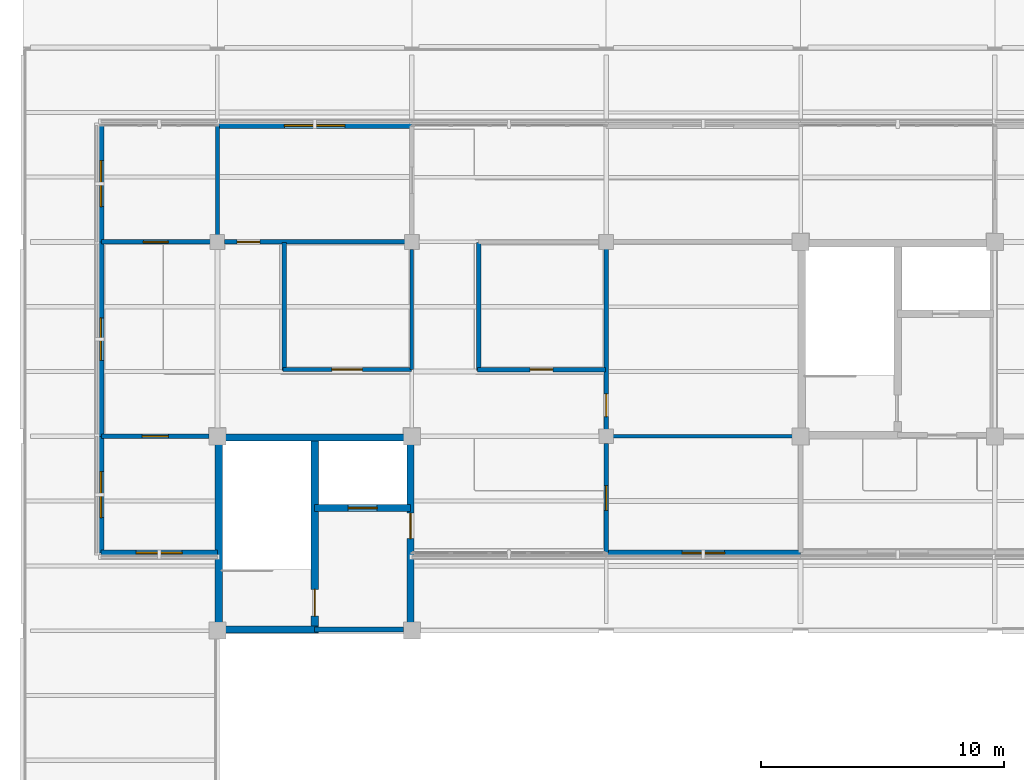
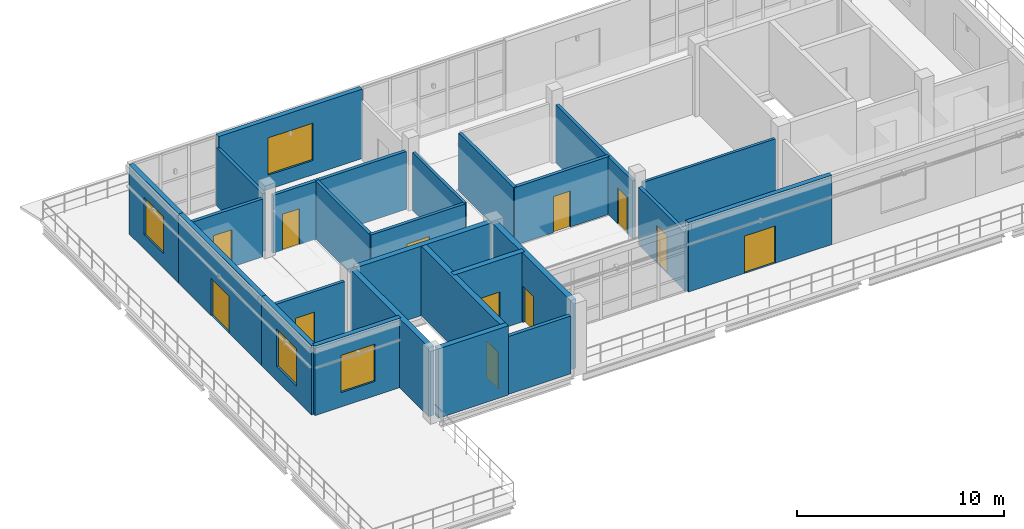
# One storey, part 15 of 24: 25 walls, 12 doors, 4 windows, 16 openings.
"""IFC4 building model written with IfcOpenShell, lengths in metres."""

from ifc_helpers import new_model, si_unit, derived_unit, direction, frame, frame_2d, origin, place, context, subcontext, project, spatial, rectangle, extrude, material, layer, layer_set, type_object, element, fill, save


model = new_model("IFC4")

# Units and contexts
model_context = context("Model", 3, precision=1e-05, world=origin(), true_north=direction((0.0, 1.0)))
body_context = subcontext(model_context, "Body", "Model", "MODEL_VIEW")
ifc_project = project(units=[si_unit("LENGTHUNIT", "METRE"), si_unit("AREAUNIT", "SQUARE_METRE"), si_unit("VOLUMEUNIT", "CUBIC_METRE"), si_unit("PLANEANGLEUNIT", "RADIAN"), si_unit("MASSUNIT", "GRAM", prefix="KILO"), derived_unit("THERMALTRANSMITTANCEUNIT", [(si_unit("MASSUNIT", "GRAM", prefix="KILO"), 1), (si_unit("TIMEUNIT", "SECOND"), -3), (si_unit("THERMODYNAMICTEMPERATUREUNIT", "KELVIN"), -1)])], contexts=[model_context])

# Site, building, storey
site_placement = place(None, origin())
site = spatial("IfcSite", under=ifc_project, at=site_placement, CompositionType="ELEMENT")
building_placement = place(site_placement, origin())
building = spatial("IfcBuilding", under=site, at=building_placement, Name="Veyamyaing Civic Hall", CompositionType="ELEMENT")
storey_placement = place(building_placement, frame((0.0, 0.0, 25.739990234375)))
storey = spatial("IfcBuildingStorey", under=building, at=storey_placement, Name="L06", CompositionType="ELEMENT", Elevation=25.739990234375)

# Walls
ifc_material_1 = material(Name="Concrete C40/50", Category="concrete")
ifc_layer_1 = layer(ifc_material_1, 0.300048828125, Name="Concrete C40/50")
ifc_layer_set_1 = layer_set([ifc_layer_1], Name="Concrete C40/50")
wall_type_1 = type_object("IfcWallType", Name="WT-05", PredefinedType="SHEAR", material=ifc_layer_set_1)
for number, where, z_axis, x_axis, name in (
    (1, (8.050048828125, 88.239990234375, 0.0), (0.0, 0.0, 1.0), (0.0, 1.0, 0.0), "Core shear wall WT-05 CORE-1 L06.W"),
    (2, (8.239990234375, 95.949951171875, 0.0), (0.0, 0.0, 1.0), (1.0, 0.0, 0.0), "Core shear wall WT-05 CORE-1 L06.N"),
):
    element("IfcWall", number, at=place(storey_placement, frame(where, z_axis=z_axis, x_axis=x_axis)), inside=storey, type_object=wall_type_1, Name=name, PredefinedType="SHEAR", context=body_context, shape_type="SweptSolid", body=[
        extrude(rectangle(XDim=7.52001953125, YDim=0.300048828125, at=frame_2d((3.760009765625, 0.0))), origin(), (0.0, 0.0, 1.0), 4.090087890625),
    ])

# Wall, opening, door
wall_1_placement = place(storey_placement, frame((15.949951171875, 88.239990234375, 0.0), z_axis=(0.0, 0.0, 1.0), x_axis=(0.0, 1.0, 0.0)))
wall_1 = element("IfcWall", 3, at=wall_1_placement, inside=storey, type_object=wall_type_1, Name="Core shear wall WT-05 CORE-1 L06.E", PredefinedType="SHEAR", context=body_context, shape_type="SweptSolid", body=[
    extrude(rectangle(XDim=7.52001953125, YDim=0.300048828125, at=frame_2d((3.760009765625, 0.0))), origin(), (0.0, 0.0, 1.0), 4.090087890625),
])
opening_1_placement = place(wall_1_placement, frame((3.550048828125, 0.0, 0.0)))
opening_1 = element("IfcOpeningElement", 4, at=opening_1_placement, cuts=wall_1, Name="Opening D-12", PredefinedType="OPENING", context=body_context, shape_type="SweptSolid", body=[
    extrude(rectangle(XDim=1.050048828125, YDim=2.14990234375, at=frame_2d((0.52490234375, 1.074951171875))), frame((0.0, 0.159912109375, 0.0), z_axis=(0.0, -1.0, 0.0), x_axis=(1.0, 0.0, 0.0)), (0.0, 0.0, 1.0), 0.320068359375),
])
ifc_material_2 = material(Name="Teak-veneered acoustic timber", Category="wood")
door_type_1 = type_object("IfcDoorType", Name="D-12", OperationType="NOTDEFINED", PredefinedType="DOOR", material=ifc_material_2)
door_1_placement = place(opening_1_placement, frame((1.050048828125, 0.0, 0.0), z_axis=(0.0, 0.0, 1.0), x_axis=(-1.0, 0.0, 0.0)))
door_1 = element("IfcDoor", 5, at=door_1_placement, inside=storey, type_object=door_type_1, Name="Protected lobby fire door D-12 CORE-1 L06", OperationType="SINGLE_SWING_LEFT", OverallHeight=2.14990234375, OverallWidth=1.050048828125, PredefinedType="DOOR", context=body_context, shape_type="SweptSolid", body=[
    extrude(rectangle(XDim=1.050048828125, YDim=2.14990234375, at=frame_2d((0.52490234375, 1.074951171875))), frame((0.0, 0.02490234375, 0.0), z_axis=(0.0, -1.0, 0.0), x_axis=(1.0, 0.0, 0.0)), (0.0, 0.0, 1.0), 0.050048828125),
])
fill(opening_1, door_1)

# Wall
wall_2_placement = place(storey_placement, frame((8.239990234375, 88.050048828125, 0.0), z_axis=(0.0, 0.0, 1.0), x_axis=(1.0, 0.0, 0.0)))
element("IfcWall", 6, at=wall_2_placement, inside=storey, type_object=wall_type_1, Name="Core shear wall WT-05 CORE-1 L06.SS", PredefinedType="SHEAR", context=body_context, shape_type="SweptSolid", body=[
    extrude(rectangle(XDim=3.909912109375, YDim=0.300048828125, at=frame_2d((1.955078125, 0.0))), origin(), (0.0, 0.0, 1.0), 4.090087890625),
])

# Wall, opening, door
wall_3_placement = place(storey_placement, frame((12.0, 88.050048828125, 0.0), z_axis=(0.0, 0.0, 1.0), x_axis=(0.0, 1.0, 0.0)))
wall_3 = element("IfcWall", 7, at=wall_3_placement, inside=storey, type_object=wall_type_1, Name="Core shear wall WT-05 CORE-1 L06.MID", PredefinedType="SHEAR", context=body_context, shape_type="SweptSolid", body=[
    extrude(rectangle(XDim=7.89990234375, YDim=0.300048828125, at=frame_2d((3.949951171875, 0.0))), origin(), (0.0, 0.0, 1.0), 4.090087890625),
])
opening_2_placement = place(wall_3_placement, frame((0.550048828125, 0.0, 0.0)))
opening_2 = element("IfcOpeningElement", 8, at=opening_2_placement, cuts=wall_3, Name="Opening D-03", PredefinedType="OPENING", context=body_context, shape_type="SweptSolid", body=[
    extrude(rectangle(XDim=1.10009765625, YDim=2.14990234375, at=frame_2d((0.550048828125, 1.074951171875))), frame((0.0, 0.159912109375, 0.0), z_axis=(0.0, -1.0, 0.0), x_axis=(1.0, 0.0, 0.0)), (0.0, 0.0, 1.0), 0.320068359375),
])
ifc_material_3 = material(Name="Galvanized steel S355J2", Category="steel")
door_type_2 = type_object("IfcDoorType", Name="D-03", OperationType="NOTDEFINED", PredefinedType="DOOR", material=ifc_material_3)
door_2_placement = place(opening_2_placement, origin())
door_2 = element("IfcDoor", 9, at=door_2_placement, inside=storey, type_object=door_type_2, Name="Exit stair fire door D-03 ST-01 L06", OperationType="SINGLE_SWING_RIGHT", OverallHeight=2.14990234375, OverallWidth=1.10009765625, PredefinedType="DOOR", context=body_context, shape_type="SweptSolid", body=[
    extrude(rectangle(XDim=1.10009765625, YDim=2.14990234375, at=frame_2d((0.550048828125, 1.074951171875))), frame((0.0, 0.02490234375, 0.0), z_axis=(0.0, -1.0, 0.0), x_axis=(1.0, 0.0, 0.0)), (0.0, 0.0, 1.0), 0.050048828125),
])
fill(opening_2, door_2)

wall_4_placement = place(storey_placement, frame((12.0, 93.050048828125, 0.0), z_axis=(0.0, 0.0, 1.0), x_axis=(1.0, 0.0, 0.0)))
wall_4 = element("IfcWall", 10, at=wall_4_placement, inside=storey, type_object=wall_type_1, Name="Core shear wall WT-05 CORE-1 L06.LFT", PredefinedType="SHEAR", context=body_context, shape_type="SweptSolid", body=[
    extrude(rectangle(XDim=3.949951171875, YDim=0.300048828125, at=frame_2d((1.97509765625, 0.0))), origin(), (0.0, 0.0, 1.0), 4.090087890625),
])
opening_3_placement = place(wall_4_placement, frame((1.375, 0.0, 0.0)))
opening_3 = element("IfcOpeningElement", 11, at=opening_3_placement, cuts=wall_4, Name="Opening LD-02", PredefinedType="OPENING", context=body_context, shape_type="SweptSolid", body=[
    extrude(rectangle(XDim=1.199951171875, YDim=2.199951171875, at=frame_2d((0.60009765625, 1.10009765625))), frame((0.0, 0.159912109375, 0.0), z_axis=(0.0, -1.0, 0.0), x_axis=(1.0, 0.0, 0.0)), (0.0, 0.0, 1.0), 0.320068359375),
])
door_type_3 = type_object("IfcDoorType", Name="LD-02", OperationType="SLIDING_TO_LEFT", PredefinedType="DOOR", material=ifc_material_3)
door_3_placement = place(opening_3_placement, origin())
door_3 = element("IfcDoor", 12, at=door_3_placement, inside=storey, type_object=door_type_3, Name="Lift sliding landing door LD-02 FL-01 L06", OperationType="SLIDING_TO_LEFT", OverallHeight=2.199951171875, OverallWidth=1.199951171875, PredefinedType="DOOR", context=body_context, shape_type="SweptSolid", body=[
    extrude(rectangle(XDim=1.199951171875, YDim=2.199951171875, at=frame_2d((0.60009765625, 1.10009765625))), frame((0.0, 0.02490234375, 0.0), z_axis=(0.0, -1.0, 0.0), x_axis=(1.0, 0.0, 0.0)), (0.0, 0.0, 1.0), 0.050048828125),
])
fill(opening_3, door_3)

# Wall
ifc_layer_2 = layer(ifc_material_1, 0.199951171875, Name="Concrete C40/50")
ifc_layer_set_2 = layer_set([ifc_layer_2], Name="Concrete C40/50")
wall_type_2 = type_object("IfcWallType", Name="WT-06", PredefinedType="PARTITIONING", material=ifc_layer_set_2)
wall_5_placement = place(storey_placement, frame((12.0, 88.050048828125, 0.0), z_axis=(0.0, 0.0, 1.0), x_axis=(1.0, 0.0, 0.0)))
element("IfcWall", 13, at=wall_5_placement, inside=storey, type_object=wall_type_2, Name="Firefighting lift lobby wall WT-06 CORE-1 L06", PredefinedType="PARTITIONING", context=body_context, shape_type="SweptSolid", body=[
    extrude(rectangle(XDim=3.659912109375, YDim=0.199951171875, at=frame_2d((1.830078125, 0.0))), origin(), (0.0, 0.0, 1.0), 3.407958984375),
])

# Wall, opening, door
ifc_material_4 = material(Name="Gypsum board on acoustic steel stud", Category="steel")
ifc_layer_3 = layer(ifc_material_4, 0.175048828125, Name="Gypsum board on acoustic steel stud")
ifc_layer_set_3 = layer_set([ifc_layer_3], Name="Gypsum board on acoustic steel stud")
wall_type_3 = type_object("IfcWallType", Name="WT-07", PredefinedType="PARTITIONING", material=ifc_layer_set_3)
wall_6_placement = place(storey_placement, frame((10.699951171875, 98.75, 0.0), z_axis=(0.0, 0.0, 1.0), x_axis=(1.0, 0.0, 0.0)))
wall_6 = element("IfcWall", 14, at=wall_6_placement, inside=storey, type_object=wall_type_3, Name="Corridor gallery partition WT-07 L06.1.1", PredefinedType="PARTITIONING", context=body_context, shape_type="SweptSolid", body=[
    extrude(rectangle(XDim=5.280029296875, YDim=0.175048828125, at=frame_2d((2.64013671875, 0.0))), origin(), (0.0, 0.0, 1.0), 3.407958984375),
])
opening_4_placement = place(wall_6_placement, frame((2.014892578125, 0.0, 0.0)))
opening_4 = element("IfcOpeningElement", 15, at=opening_4_placement, cuts=wall_6, Name="Opening D-29", PredefinedType="OPENING", context=body_context, shape_type="SweptSolid", body=[
    extrude(rectangle(XDim=1.25, YDim=2.179931640625, at=frame_2d((0.625, 1.08984375))), frame((0.0, 0.097412109375, 0.0), z_axis=(0.0, -1.0, 0.0), x_axis=(1.0, 0.0, 0.0)), (0.0, 0.0, 1.0), 0.195068359375),
])
door_type_4 = type_object("IfcDoorType", Name="D-29", OperationType="NOTDEFINED", PredefinedType="DOOR", material=ifc_material_2)
door_4_placement = place(opening_4_placement, origin())
door_4 = element("IfcDoor", 16, at=door_4_placement, inside=storey, type_object=door_type_4, Name="Gallery office door D-29 L06.1", OperationType="SINGLE_SWING_RIGHT", OverallHeight=2.179931640625, OverallWidth=1.25, PredefinedType="DOOR", context=body_context, shape_type="SweptSolid", body=[
    extrude(rectangle(XDim=1.25, YDim=2.179931640625, at=frame_2d((0.625, 1.08984375))), frame((0.0, 0.02490234375, 0.0), z_axis=(0.0, -1.0, 0.0), x_axis=(1.0, 0.0, 0.0)), (0.0, 0.0, 1.0), 0.050048828125),
])
fill(opening_4, door_4)

# Wall
wall_7_placement = place(storey_placement, frame((10.75, 98.699951171875, 0.0), z_axis=(0.0, 0.0, 1.0), x_axis=(0.0, 1.0, 0.0)))
element("IfcWall", 17, at=wall_7_placement, inside=storey, type_object=wall_type_3, Name="Corridor gallery partition WT-07 L06.1.2", PredefinedType="PARTITIONING", context=body_context, shape_type="SweptSolid", body=[
    extrude(rectangle(XDim=5.280029296875, YDim=0.175048828125, at=frame_2d((2.64013671875, 0.0))), origin(), (0.0, 0.0, 1.0), 3.407958984375),
])

# Wall, opening, door
wall_8_placement = place(storey_placement, frame((3.219970703125, 96.0, 0.0), z_axis=(0.0, 0.0, 1.0), x_axis=(1.0, 0.0, 0.0)))
wall_8 = element("IfcWall", 18, at=wall_8_placement, inside=storey, type_object=wall_type_3, Name="Interior partition wall WT-07 L06.1", PredefinedType="PARTITIONING", context=body_context, shape_type="SweptSolid", body=[
    extrude(rectangle(XDim=4.43994140625, YDim=0.175048828125, at=frame_2d((2.219970703125, 0.0))), origin(), (0.0, 0.0, 1.0), 3.407958984375),
])
opening_5_placement = place(wall_8_placement, frame((1.679931640625, 0.0, 0.0)))
opening_5 = element("IfcOpeningElement", 19, at=opening_5_placement, cuts=wall_8, Name="Opening D-23", PredefinedType="OPENING", context=body_context, shape_type="SweptSolid", body=[
    extrude(rectangle(XDim=1.080078125, YDim=2.199951171875, at=frame_2d((0.5400390625, 1.10009765625))), frame((0.0, 0.097412109375, 0.0), z_axis=(0.0, -1.0, 0.0), x_axis=(1.0, 0.0, 0.0)), (0.0, 0.0, 1.0), 0.195068359375),
])
door_type_5 = type_object("IfcDoorType", Name="D-23", OperationType="NOTDEFINED", PredefinedType="DOOR", material=ifc_material_2)
door_5_placement = place(opening_5_placement, frame((1.080078125, 0.0, 0.0), z_axis=(0.0, 0.0, 1.0), x_axis=(-1.0, 0.0, 0.0)))
door_5 = element("IfcDoor", 20, at=door_5_placement, inside=storey, type_object=door_type_5, Name="Interior door D-23 L06.1", OperationType="SINGLE_SWING_RIGHT", OverallHeight=2.199951171875, OverallWidth=1.080078125, PredefinedType="DOOR", context=body_context, shape_type="SweptSolid", body=[
    extrude(rectangle(XDim=1.080078125, YDim=2.199951171875, at=frame_2d((0.5400390625, 1.10009765625))), frame((0.0, 0.02490234375, 0.0), z_axis=(0.0, -1.0, 0.0), x_axis=(1.0, 0.0, 0.0)), (0.0, 0.0, 1.0), 0.050048828125),
])
fill(opening_5, door_5)

wall_9_placement = place(storey_placement, frame((24.0, 96.2900390625, 0.0), z_axis=(0.0, 0.0, 1.0), x_axis=(0.0, 1.0, 0.0)))
wall_9 = element("IfcWall", 21, at=wall_9_placement, inside=storey, type_object=wall_type_3, Name="Interior partition wall WT-07 L06.7", PredefinedType="PARTITIONING", context=body_context, shape_type="SweptSolid", body=[
    extrude(rectangle(XDim=7.419921875, YDim=0.175048828125, at=frame_2d((3.7099609375, 0.0))), origin(), (0.0, 0.0, 1.0), 3.407958984375),
])
opening_6_placement = place(wall_9_placement, frame((0.52001953125, 0.0, 0.0)))
opening_6 = element("IfcOpeningElement", 22, at=opening_6_placement, cuts=wall_9, Name="Opening D-30", PredefinedType="OPENING", context=body_context, shape_type="SweptSolid", body=[
    extrude(rectangle(XDim=0.93994140625, YDim=2.1201171875, at=frame_2d((0.469970703125, 1.06005859375))), frame((0.0, 0.097412109375, 0.0), z_axis=(0.0, -1.0, 0.0), x_axis=(1.0, 0.0, 0.0)), (0.0, 0.0, 1.0), 0.195068359375),
])
door_type_6 = type_object("IfcDoorType", Name="D-30", OperationType="NOTDEFINED", PredefinedType="DOOR", material=ifc_material_2)
door_6_placement = place(opening_6_placement, frame((0.93994140625, 0.0, 0.0), z_axis=(0.0, 0.0, 1.0), x_axis=(-1.0, 0.0, 0.0)))
door_6 = element("IfcDoor", 23, at=door_6_placement, inside=storey, type_object=door_type_6, Name="Interior door D-30 L06.7", OperationType="SINGLE_SWING_LEFT", OverallHeight=2.1201171875, OverallWidth=0.93994140625, PredefinedType="DOOR", context=body_context, shape_type="SweptSolid", body=[
    extrude(rectangle(XDim=0.93994140625, YDim=2.1201171875, at=frame_2d((0.469970703125, 1.06005859375))), frame((0.0, 0.02490234375, 0.0), z_axis=(0.0, -1.0, 0.0), x_axis=(1.0, 0.0, 0.0)), (0.0, 0.0, 1.0), 0.050048828125),
])
fill(opening_6, door_6)

# Walls
ifc_material_5 = material(Name="Gypsum board on steel stud", Category="steel")
ifc_layer_4 = layer(ifc_material_5, 0.14990234375, Name="Gypsum board on steel stud")
ifc_layer_set_4 = layer_set([ifc_layer_4], Name="Gypsum board on steel stud")
wall_type_4 = type_object("IfcWallType", Name="WT-08", PredefinedType="PARTITIONING", material=ifc_layer_set_4)
wall_10_placement = place(storey_placement, frame((16.0, 98.75, 0.0), z_axis=(0.0, 0.0, 1.0), x_axis=(0.0, 1.0, 0.0)))
element("IfcWall", 24, at=wall_10_placement, inside=storey, type_object=wall_type_4, Name="Gallery office end partition WT-08 L06.1.2", PredefinedType="PARTITIONING", context=body_context, shape_type="SweptSolid", body=[
    extrude(rectangle(XDim=4.93994140625, YDim=0.14990234375, at=frame_2d((2.469970703125, 0.0))), origin(), (0.0, 0.0, 1.0), 3.407958984375),
])
wall_11_placement = place(storey_placement, frame((24.2900390625, 96.0, 0.0), z_axis=(0.0, 0.0, 1.0), x_axis=(1.0, 0.0, 0.0)))
element("IfcWall", 25, at=wall_11_placement, inside=storey, type_object=wall_type_4, Name="Interior partition wall WT-08 L06.9", PredefinedType="PARTITIONING", context=body_context, shape_type="SweptSolid", body=[
    extrude(rectangle(XDim=7.369873046875, YDim=0.14990234375, at=frame_2d((3.68505859375, 0.0))), origin(), (0.0, 0.0, 1.0), 3.407958984375),
])

# Wall, opening, window
ifc_material_6 = material(Name="Precast concrete C40/50", Category="concrete")
ifc_layer_5 = layer(ifc_material_6, 0.260009765625, Name="Precast concrete C40/50")
ifc_layer_set_5 = layer_set([ifc_layer_5], Name="Precast concrete C40/50")
wall_type_5 = type_object("IfcWallType", Name="WT-09", PredefinedType="SOLIDWALL", material=ifc_layer_set_5)
wall_12_placement = place(storey_placement, frame((3.199951171875, 91.199951171875, 0.0), z_axis=(0.0, 0.0, 1.0), x_axis=(1.0, 0.0, 0.0)))
wall_12 = element("IfcWall", 26, at=wall_12_placement, inside=storey, type_object=wall_type_5, Name="Executive setback exterior wall WT-09 L06-NW-S-0", PredefinedType="SOLIDWALL", context=body_context, shape_type="SweptSolid", body=[
    extrude(rectangle(XDim=4.800048828125, YDim=0.260009765625, at=frame_2d((2.39990234375, 0.0))), origin(), (0.0, 0.0, 1.0), 4.090087890625),
])
opening_7_placement = place(wall_12_placement, frame((1.449951171875, 0.0, 0.85009765625)))
opening_7 = element("IfcOpeningElement", 27, at=opening_7_placement, cuts=wall_12, Name="Opening W-22", PredefinedType="OPENING", context=body_context, shape_type="SweptSolid", body=[
    extrude(rectangle(XDim=1.89990234375, YDim=2.199951171875, at=frame_2d((0.949951171875, 1.10009765625))), frame((0.0, 0.139892578125, 0.0), z_axis=(0.0, -1.0, 0.0), x_axis=(1.0, 0.0, 0.0)), (0.0, 0.0, 1.0), 0.280029296875),
])
ifc_material_7 = material(Name="Low-E insulated glass", Category="glass")
window_type_1 = type_object("IfcWindowType", Name="W-22", PartitioningType="SINGLE_PANEL", PredefinedType="WINDOW", material=ifc_material_7)
window_1_placement = place(opening_7_placement, origin())
window_1 = element("IfcWindow", 28, at=window_1_placement, inside=storey, type_object=window_type_1, Name="Executive window W-22 L06-NW-S-0", OverallHeight=2.199951171875, OverallWidth=1.89990234375, PartitioningType="SINGLE_PANEL", PredefinedType="WINDOW", context=body_context, shape_type="SweptSolid", body=[
    extrude(rectangle(XDim=1.89990234375, YDim=2.199951171875, at=frame_2d((0.949951171875, 1.10009765625))), frame((0.0, 0.030029296875, 0.0), z_axis=(0.0, -1.0, 0.0), x_axis=(1.0, 0.0, 0.0)), (0.0, 0.0, 1.0), 0.06005859375),
])
fill(opening_7, window_1)

# Wall, opening, door
wall_13_placement = place(storey_placement, frame((24.0, 91.199951171875, 0.0), z_axis=(0.0, 0.0, 1.0), x_axis=(1.0, 0.0, 0.0)))
wall_13 = element("IfcWall", 29, at=wall_13_placement, inside=storey, type_object=wall_type_5, Name="Executive setback exterior wall WT-09 L06-NW-S-3", PredefinedType="SOLIDWALL", context=body_context, shape_type="SweptSolid", body=[
    extrude(rectangle(XDim=8.0, YDim=0.260009765625, at=frame_2d((4.0, 0.0))), origin(), (0.0, 0.0, 1.0), 4.090087890625),
])
opening_8_placement = place(wall_13_placement, frame((3.125, 0.0, 0.0)))
opening_8 = element("IfcOpeningElement", 30, at=opening_8_placement, cuts=wall_13, Name="Opening D-22", PredefinedType="OPENING", context=body_context, shape_type="SweptSolid", body=[
    extrude(rectangle(XDim=1.75, YDim=2.199951171875, at=frame_2d((0.875, 1.10009765625))), frame((0.0, 0.139892578125, 0.0), z_axis=(0.0, -1.0, 0.0), x_axis=(1.0, 0.0, 0.0)), (0.0, 0.0, 1.0), 0.280029296875),
])
ifc_material_8 = material(Name="Anodised aluminium 6063-T6", Category="aluminium")
door_type_7 = type_object("IfcDoorType", Name="D-22", OperationType="DOUBLE_DOOR_SINGLE_SWING", PredefinedType="DOOR", material=ifc_material_8)
door_7_placement = place(opening_8_placement, frame((1.75, 0.0, 0.0), z_axis=(0.0, 0.0, 1.0), x_axis=(-1.0, 0.0, 0.0)))
door_7 = element("IfcDoor", 31, at=door_7_placement, inside=storey, type_object=door_type_7, Name="Setback roof terrace door D-22 L06-NW-S-3", OperationType="DOUBLE_DOOR_SINGLE_SWING", OverallHeight=2.199951171875, OverallWidth=1.75, PredefinedType="DOOR", context=body_context, shape_type="SweptSolid", body=[
    extrude(rectangle(XDim=1.75, YDim=2.199951171875, at=frame_2d((0.875, 1.10009765625))), frame((0.0, 0.02490234375, 0.0), z_axis=(0.0, -1.0, 0.0), x_axis=(1.0, 0.0, 0.0)), (0.0, 0.0, 1.0), 0.050048828125),
])
fill(opening_8, door_7)

# Wall, opening, window
wall_14_placement = place(storey_placement, frame((8.0, 108.800048828125, 0.0), z_axis=(0.0, 0.0, 1.0), x_axis=(1.0, 0.0, 0.0)))
wall_14 = element("IfcWall", 32, at=wall_14_placement, inside=storey, type_object=wall_type_5, Name="Executive setback exterior wall WT-09 L06-NW-N-1", PredefinedType="SOLIDWALL", context=body_context, shape_type="SweptSolid", body=[
    extrude(rectangle(XDim=8.0, YDim=0.260009765625, at=frame_2d((4.0, 0.0))), origin(), (0.0, 0.0, 1.0), 4.090087890625),
])
opening_9_placement = place(wall_14_placement, frame((2.75, 0.0, 0.85009765625)))
opening_9 = element("IfcOpeningElement", 33, at=opening_9_placement, cuts=wall_14, Name="Opening W-21", PredefinedType="OPENING", context=body_context, shape_type="SweptSolid", body=[
    extrude(rectangle(XDim=2.5, YDim=2.199951171875, at=frame_2d((1.25, 1.10009765625))), frame((0.0, 0.139892578125, 0.0), z_axis=(0.0, -1.0, 0.0), x_axis=(1.0, 0.0, 0.0)), (0.0, 0.0, 1.0), 0.280029296875),
])
window_type_2 = type_object("IfcWindowType", Name="W-21", PartitioningType="SINGLE_PANEL", PredefinedType="WINDOW", material=ifc_material_7)
window_2_placement = place(opening_9_placement, origin())
window_2 = element("IfcWindow", 34, at=window_2_placement, inside=storey, type_object=window_type_2, Name="Executive window W-21 L06-NW-N-1", OverallHeight=2.199951171875, OverallWidth=2.5, PartitioningType="SINGLE_PANEL", PredefinedType="WINDOW", context=body_context, shape_type="SweptSolid", body=[
    extrude(rectangle(XDim=2.5, YDim=2.199951171875, at=frame_2d((1.25, 1.10009765625))), frame((0.0, 0.030029296875, 0.0), z_axis=(0.0, -1.0, 0.0), x_axis=(1.0, 0.0, 0.0)), (0.0, 0.0, 1.0), 0.06005859375),
])
fill(opening_9, window_2)

wall_15_placement = place(storey_placement, frame((3.199951171875, 91.199951171875, 0.0), z_axis=(0.0, 0.0, 1.0), x_axis=(0.0, 1.0, 0.0)))
wall_15 = element("IfcWall", 35, at=wall_15_placement, inside=storey, type_object=wall_type_5, Name="Executive setback exterior wall WT-09 L06-NW-W-0", PredefinedType="SOLIDWALL", context=body_context, shape_type="SweptSolid", body=[
    extrude(rectangle(XDim=4.800048828125, YDim=0.260009765625, at=frame_2d((2.39990234375, 0.0))), origin(), (0.0, 0.0, 1.0), 4.090087890625),
])
opening_10_placement = place(wall_15_placement, frame((1.449951171875, 0.0, 0.85009765625)))
opening_10 = element("IfcOpeningElement", 36, at=opening_10_placement, cuts=wall_15, Name="Opening W-22", PredefinedType="OPENING", context=body_context, shape_type="SweptSolid", body=[
    extrude(rectangle(XDim=1.89990234375, YDim=2.199951171875, at=frame_2d((0.949951171875, 1.10009765625))), frame((0.0, 0.139892578125, 0.0), z_axis=(0.0, -1.0, 0.0), x_axis=(1.0, 0.0, 0.0)), (0.0, 0.0, 1.0), 0.280029296875),
])
window_3_placement = place(opening_10_placement, origin())
window_3 = element("IfcWindow", 37, at=window_3_placement, inside=storey, type_object=window_type_1, Name="Executive window W-22 L06-NW-W-0", OverallHeight=2.199951171875, OverallWidth=1.89990234375, PartitioningType="SINGLE_PANEL", PredefinedType="WINDOW", context=body_context, shape_type="SweptSolid", body=[
    extrude(rectangle(XDim=1.89990234375, YDim=2.199951171875, at=frame_2d((0.949951171875, 1.10009765625))), frame((0.0, 0.030029296875, 0.0), z_axis=(0.0, -1.0, 0.0), x_axis=(1.0, 0.0, 0.0)), (0.0, 0.0, 1.0), 0.06005859375),
])
fill(opening_10, window_3)

# Wall, opening, door
wall_16_placement = place(storey_placement, frame((3.199951171875, 96.0, 0.0), z_axis=(0.0, 0.0, 1.0), x_axis=(0.0, 1.0, 0.0)))
wall_16 = element("IfcWall", 38, at=wall_16_placement, inside=storey, type_object=wall_type_5, Name="Executive setback exterior wall WT-09 L06-NW-W-1", PredefinedType="SOLIDWALL", context=body_context, shape_type="SweptSolid", body=[
    extrude(rectangle(XDim=8.0, YDim=0.260009765625, at=frame_2d((4.0, 0.0))), origin(), (0.0, 0.0, 1.0), 4.090087890625),
])
opening_11_placement = place(wall_16_placement, frame((3.125, 0.0, 0.0)))
opening_11 = element("IfcOpeningElement", 39, at=opening_11_placement, cuts=wall_16, Name="Opening D-22", PredefinedType="OPENING", context=body_context, shape_type="SweptSolid", body=[
    extrude(rectangle(XDim=1.75, YDim=2.199951171875, at=frame_2d((0.875, 1.10009765625))), frame((0.0, 0.139892578125, 0.0), z_axis=(0.0, -1.0, 0.0), x_axis=(1.0, 0.0, 0.0)), (0.0, 0.0, 1.0), 0.280029296875),
])
door_8_placement = place(opening_11_placement, origin())
door_8 = element("IfcDoor", 40, at=door_8_placement, inside=storey, type_object=door_type_7, Name="Setback roof terrace door D-22 L06-NW-W-1", OperationType="DOUBLE_DOOR_SINGLE_SWING", OverallHeight=2.199951171875, OverallWidth=1.75, PredefinedType="DOOR", context=body_context, shape_type="SweptSolid", body=[
    extrude(rectangle(XDim=1.75, YDim=2.199951171875, at=frame_2d((0.875, 1.10009765625))), frame((0.0, 0.02490234375, 0.0), z_axis=(0.0, -1.0, 0.0), x_axis=(1.0, 0.0, 0.0)), (0.0, 0.0, 1.0), 0.050048828125),
])
fill(opening_11, door_8)

# Wall, opening, window
wall_17_placement = place(storey_placement, frame((3.199951171875, 104.0, 0.0), z_axis=(0.0, 0.0, 1.0), x_axis=(0.0, 1.0, 0.0)))
wall_17 = element("IfcWall", 41, at=wall_17_placement, inside=storey, type_object=wall_type_5, Name="Executive setback exterior wall WT-09 L06-NW-W-2", PredefinedType="SOLIDWALL", context=body_context, shape_type="SweptSolid", body=[
    extrude(rectangle(XDim=4.800048828125, YDim=0.260009765625, at=frame_2d((2.39990234375, 0.0))), origin(), (0.0, 0.0, 1.0), 4.090087890625),
])
opening_12_placement = place(wall_17_placement, frame((1.449951171875, 0.0, 0.85009765625)))
opening_12 = element("IfcOpeningElement", 42, at=opening_12_placement, cuts=wall_17, Name="Opening W-22", PredefinedType="OPENING", context=body_context, shape_type="SweptSolid", body=[
    extrude(rectangle(XDim=1.89990234375, YDim=2.199951171875, at=frame_2d((0.949951171875, 1.10009765625))), frame((0.0, 0.139892578125, 0.0), z_axis=(0.0, -1.0, 0.0), x_axis=(1.0, 0.0, 0.0)), (0.0, 0.0, 1.0), 0.280029296875),
])
window_4_placement = place(opening_12_placement, origin())
window_4 = element("IfcWindow", 43, at=window_4_placement, inside=storey, type_object=window_type_1, Name="Executive window W-22 L06-NW-W-2", OverallHeight=2.199951171875, OverallWidth=1.89990234375, PartitioningType="SINGLE_PANEL", PredefinedType="WINDOW", context=body_context, shape_type="SweptSolid", body=[
    extrude(rectangle(XDim=1.89990234375, YDim=2.199951171875, at=frame_2d((0.949951171875, 1.10009765625))), frame((0.0, 0.030029296875, 0.0), z_axis=(0.0, -1.0, 0.0), x_axis=(1.0, 0.0, 0.0)), (0.0, 0.0, 1.0), 0.06005859375),
])
fill(opening_12, window_4)

# Wall
ifc_material_9 = material(Name="Cement-board wet-area partition")
ifc_layer_6 = layer(ifc_material_9, 0.159912109375, Name="Cement-board wet-area partition")
ifc_layer_set_6 = layer_set([ifc_layer_6], Name="Cement-board wet-area partition")
wall_type_6 = type_object("IfcWallType", Name="WT-14", PredefinedType="PARTITIONING", material=ifc_layer_set_6)
wall_18_placement = place(storey_placement, frame((8.0, 104.2900390625, 0.0), z_axis=(0.0, 0.0, 1.0), x_axis=(0.0, 1.0, 0.0)))
element("IfcWall", 44, at=wall_18_placement, inside=storey, type_object=wall_type_6, Name="Interior partition wall WT-14 L06.3", PredefinedType="PARTITIONING", context=body_context, shape_type="SweptSolid", body=[
    extrude(rectangle(XDim=4.489990234375, YDim=0.159912109375, at=frame_2d((2.2451171875, 0.0))), origin(), (0.0, 0.0, 1.0), 3.407958984375),
])

# Wall, opening, door
ifc_material_10 = material(Name="Gypsum board on double acoustic stud")
ifc_layer_7 = layer(ifc_material_10, 0.18505859375, Name="Gypsum board on double acoustic stud")
ifc_layer_set_7 = layer_set([ifc_layer_7], Name="Gypsum board on double acoustic stud")
wall_type_7 = type_object("IfcWallType", Name="WT-19", PredefinedType="PARTITIONING", material=ifc_layer_set_7)
wall_19_placement = place(storey_placement, frame((18.699951171875, 98.75, 0.0), z_axis=(0.0, 0.0, 1.0), x_axis=(1.0, 0.0, 0.0)))
wall_19 = element("IfcWall", 45, at=wall_19_placement, inside=storey, type_object=wall_type_7, Name="Corridor gallery partition WT-19 L06.2.1", PredefinedType="PARTITIONING", context=body_context, shape_type="SweptSolid", body=[
    extrude(rectangle(XDim=5.280029296875, YDim=0.18505859375, at=frame_2d((2.64013671875, 0.0))), origin(), (0.0, 0.0, 1.0), 3.407958984375),
])
opening_13_placement = place(wall_19_placement, frame((2.169921875, 0.0, 0.0)))
opening_13 = element("IfcOpeningElement", 46, at=opening_13_placement, cuts=wall_19, Name="Opening D-30", PredefinedType="OPENING", context=body_context, shape_type="SweptSolid", body=[
    extrude(rectangle(XDim=0.93994140625, YDim=2.1201171875, at=frame_2d((0.469970703125, 1.06005859375))), frame((0.0, 0.1025390625, 0.0), z_axis=(0.0, -1.0, 0.0), x_axis=(1.0, 0.0, 0.0)), (0.0, 0.0, 1.0), 0.205078125),
])
door_9_placement = place(opening_13_placement, origin())
door_9 = element("IfcDoor", 47, at=door_9_placement, inside=storey, type_object=door_type_6, Name="Gallery office door D-30 L06.2", OperationType="SINGLE_SWING_LEFT", OverallHeight=2.1201171875, OverallWidth=0.93994140625, PredefinedType="DOOR", context=body_context, shape_type="SweptSolid", body=[
    extrude(rectangle(XDim=0.93994140625, YDim=2.1201171875, at=frame_2d((0.469970703125, 1.06005859375))), frame((0.0, 0.02490234375, 0.0), z_axis=(0.0, -1.0, 0.0), x_axis=(1.0, 0.0, 0.0)), (0.0, 0.0, 1.0), 0.050048828125),
])
fill(opening_13, door_9)

# Wall
wall_20_placement = place(storey_placement, frame((18.75, 98.699951171875, 0.0), z_axis=(0.0, 0.0, 1.0), x_axis=(0.0, 1.0, 0.0)))
element("IfcWall", 48, at=wall_20_placement, inside=storey, type_object=wall_type_7, Name="Corridor gallery partition WT-19 L06.2.2", PredefinedType="PARTITIONING", context=body_context, shape_type="SweptSolid", body=[
    extrude(rectangle(XDim=5.280029296875, YDim=0.18505859375, at=frame_2d((2.64013671875, 0.0))), origin(), (0.0, 0.0, 1.0), 3.407958984375),
])

# Wall, opening, door
wall_21_placement = place(storey_placement, frame((3.219970703125, 104.0, 0.0), z_axis=(0.0, 0.0, 1.0), x_axis=(1.0, 0.0, 0.0)))
wall_21 = element("IfcWall", 49, at=wall_21_placement, inside=storey, type_object=wall_type_7, Name="Interior partition wall WT-19 L06.2", PredefinedType="PARTITIONING", context=body_context, shape_type="SweptSolid", body=[
    extrude(rectangle(XDim=4.489990234375, YDim=0.18505859375, at=frame_2d((2.2451171875, 0.0))), origin(), (0.0, 0.0, 1.0), 3.407958984375),
])
opening_14_placement = place(wall_21_placement, frame((1.735107421875, 0.0, 0.0)))
opening_14 = element("IfcOpeningElement", 50, at=opening_14_placement, cuts=wall_21, Name="Opening D-19", PredefinedType="OPENING", context=body_context, shape_type="SweptSolid", body=[
    extrude(rectangle(XDim=1.02001953125, YDim=2.199951171875, at=frame_2d((0.510009765625, 1.10009765625))), frame((0.0, 0.1025390625, 0.0), z_axis=(0.0, -1.0, 0.0), x_axis=(1.0, 0.0, 0.0)), (0.0, 0.0, 1.0), 0.205078125),
])
door_type_8 = type_object("IfcDoorType", Name="D-19", OperationType="NOTDEFINED", PredefinedType="DOOR", material=ifc_material_2)
door_10_placement = place(opening_14_placement, origin())
door_10 = element("IfcDoor", 51, at=door_10_placement, inside=storey, type_object=door_type_8, Name="Interior door D-19 L06.2", OperationType="SINGLE_SWING_LEFT", OverallHeight=2.199951171875, OverallWidth=1.02001953125, PredefinedType="DOOR", context=body_context, shape_type="SweptSolid", body=[
    extrude(rectangle(XDim=1.02001953125, YDim=2.199951171875, at=frame_2d((0.510009765625, 1.10009765625))), frame((0.0, 0.02490234375, 0.0), z_axis=(0.0, -1.0, 0.0), x_axis=(1.0, 0.0, 0.0)), (0.0, 0.0, 1.0), 0.050048828125),
])
fill(opening_14, door_10)

wall_22_placement = place(storey_placement, frame((8.2900390625, 104.0, 0.0), z_axis=(0.0, 0.0, 1.0), x_axis=(1.0, 0.0, 0.0)))
wall_22 = element("IfcWall", 52, at=wall_22_placement, inside=storey, type_object=wall_type_7, Name="Interior partition wall WT-19 L06.4", PredefinedType="PARTITIONING", context=body_context, shape_type="SweptSolid", body=[
    extrude(rectangle(XDim=7.419921875, YDim=0.18505859375, at=frame_2d((3.7099609375, 0.0))), origin(), (0.0, 0.0, 1.0), 3.407958984375),
])
opening_15_placement = place(wall_22_placement, frame((0.52001953125, 0.0, 0.0)))
opening_15 = element("IfcOpeningElement", 53, at=opening_15_placement, cuts=wall_22, Name="Opening D-30", PredefinedType="OPENING", context=body_context, shape_type="SweptSolid", body=[
    extrude(rectangle(XDim=0.93994140625, YDim=2.1201171875, at=frame_2d((0.469970703125, 1.06005859375))), frame((0.0, 0.1025390625, 0.0), z_axis=(0.0, -1.0, 0.0), x_axis=(1.0, 0.0, 0.0)), (0.0, 0.0, 1.0), 0.205078125),
])
door_11_placement = place(opening_15_placement, origin())
door_11 = element("IfcDoor", 54, at=door_11_placement, inside=storey, type_object=door_type_6, Name="Interior door D-30 L06.4", OperationType="SINGLE_SWING_RIGHT", OverallHeight=2.1201171875, OverallWidth=0.93994140625, PredefinedType="DOOR", context=body_context, shape_type="SweptSolid", body=[
    extrude(rectangle(XDim=0.93994140625, YDim=2.1201171875, at=frame_2d((0.469970703125, 1.06005859375))), frame((0.0, 0.02490234375, 0.0), z_axis=(0.0, -1.0, 0.0), x_axis=(1.0, 0.0, 0.0)), (0.0, 0.0, 1.0), 0.050048828125),
])
fill(opening_15, door_11)

wall_23_placement = place(storey_placement, frame((24.0, 91.219970703125, 0.0), z_axis=(0.0, 0.0, 1.0), x_axis=(0.0, 1.0, 0.0)))
wall_23 = element("IfcWall", 55, at=wall_23_placement, inside=storey, type_object=wall_type_7, Name="Interior partition wall WT-19 L06.6", PredefinedType="PARTITIONING", context=body_context, shape_type="SweptSolid", body=[
    extrude(rectangle(XDim=4.489990234375, YDim=0.18505859375, at=frame_2d((2.2451171875, 0.0))), origin(), (0.0, 0.0, 1.0), 3.407958984375),
])
opening_16_placement = place(wall_23_placement, frame((1.735107421875, 0.0, 0.0)))
opening_16 = element("IfcOpeningElement", 56, at=opening_16_placement, cuts=wall_23, Name="Opening D-19", PredefinedType="OPENING", context=body_context, shape_type="SweptSolid", body=[
    extrude(rectangle(XDim=1.02001953125, YDim=2.199951171875, at=frame_2d((0.510009765625, 1.10009765625))), frame((0.0, 0.1025390625, 0.0), z_axis=(0.0, -1.0, 0.0), x_axis=(1.0, 0.0, 0.0)), (0.0, 0.0, 1.0), 0.205078125),
])
door_12_placement = place(opening_16_placement, frame((1.02001953125, 0.0, 0.0), z_axis=(0.0, 0.0, 1.0), x_axis=(-1.0, 0.0, 0.0)))
door_12 = element("IfcDoor", 57, at=door_12_placement, inside=storey, type_object=door_type_8, Name="Interior door D-19 L06.6", OperationType="SINGLE_SWING_RIGHT", OverallHeight=2.199951171875, OverallWidth=1.02001953125, PredefinedType="DOOR", context=body_context, shape_type="SweptSolid", body=[
    extrude(rectangle(XDim=1.02001953125, YDim=2.199951171875, at=frame_2d((0.510009765625, 1.10009765625))), frame((0.0, 0.02490234375, 0.0), z_axis=(0.0, -1.0, 0.0), x_axis=(1.0, 0.0, 0.0)), (0.0, 0.0, 1.0), 0.050048828125),
])
fill(opening_16, door_12)

save(model, "model.ifc")
